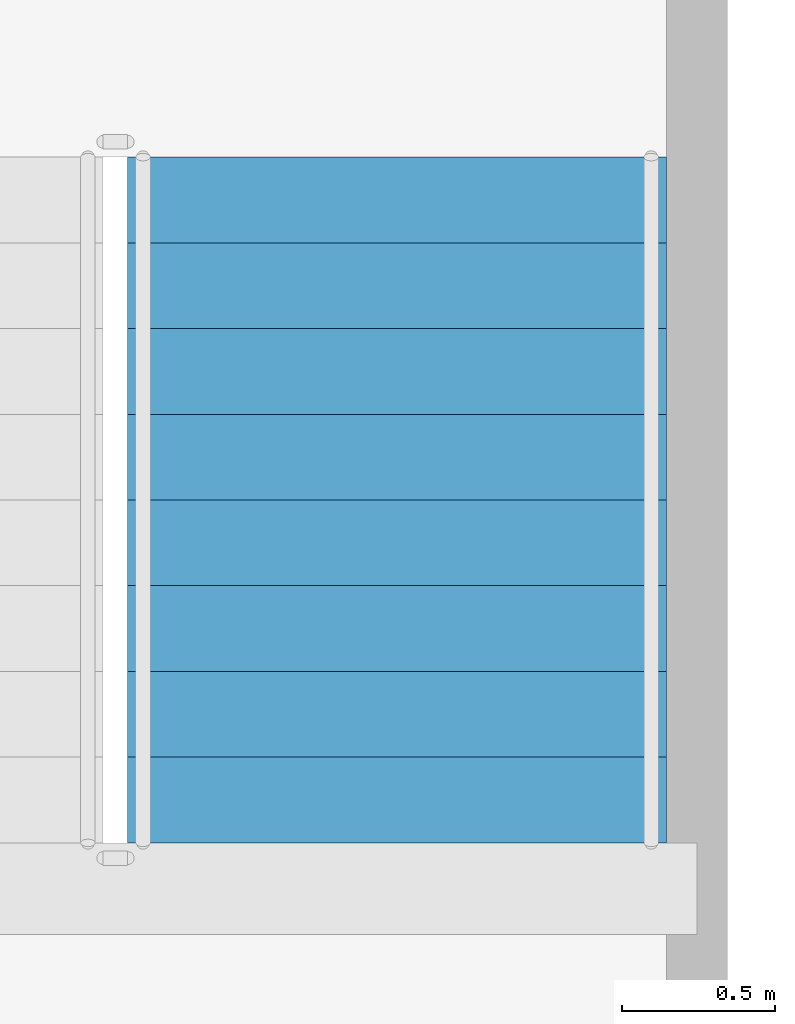
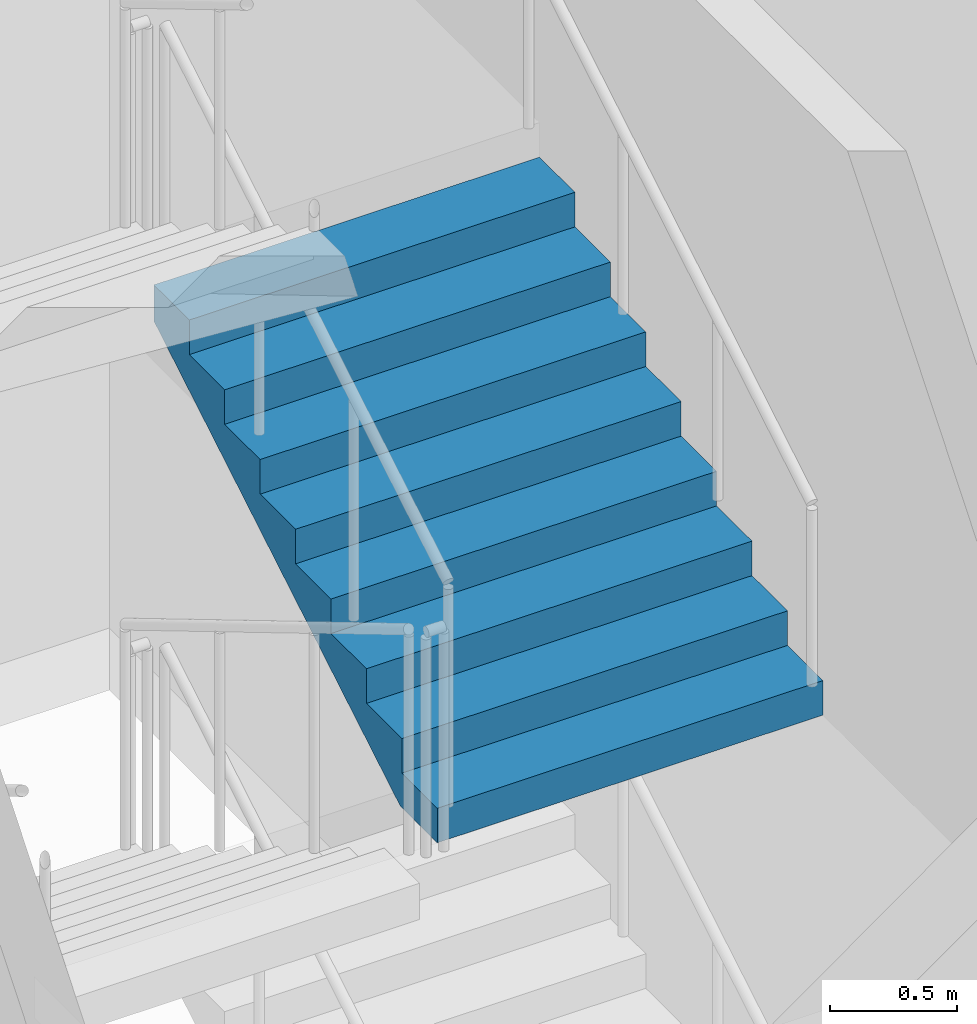
# One storey, part 28 of 40: 1 stair flight, 1 element without a shape of its own.
"""IFC4 building model written with IfcOpenShell, lengths in metres."""

from ifc_helpers import new_model, si_unit, direction, frame, origin, place, context, subcontext, project, spatial, faceted_brep, material, type_object, element, aggregate, save


model = new_model("IFC4")

# Units and contexts
model_context = context("Model", 3, precision=1e-05, world=origin(), true_north=direction((0.0, 1.0)))
body_context = subcontext(model_context, "Body", "Model", "MODEL_VIEW")
ifc_project = project(units=[si_unit("LENGTHUNIT", "METRE"), si_unit("AREAUNIT", "SQUARE_METRE"), si_unit("VOLUMEUNIT", "CUBIC_METRE"), si_unit("PLANEANGLEUNIT", "RADIAN"), si_unit("MASSUNIT", "GRAM", prefix="KILO")], contexts=[model_context])

# Site, building, storey
site_placement = place(None, origin())
site = spatial("IfcSite", under=ifc_project, at=site_placement, CompositionType="ELEMENT")
building_placement = place(site_placement, origin())
building = spatial("IfcBuilding", under=site, at=building_placement, Name="Tarsis Ring Headquarters", CompositionType="ELEMENT")
storey_placement = place(building_placement, frame((0.0, 0.0, 354.800048828125)))
storey = spatial("IfcBuildingStorey", under=building, at=storey_placement, Name="L84", CompositionType="ELEMENT", Elevation=354.800048828125)

# Stair, stair flight
ifc_material_1 = material(Name="Core stair 1760")
stair_type = type_object("IfcStairType", Name="Core stair 1760", PredefinedType="HALF_TURN_STAIR", material=ifc_material_1)
stair_placement = place(storey_placement, origin())
stair = element("IfcStair", 1, at=stair_placement, inside=storey, type_object=stair_type, Name="L84 Exit stair B", PredefinedType="HALF_TURN_STAIR")
ifc_material_2 = material(Name="Concrete C40/50", Category="concrete")
stair_flight_type = type_object("IfcStairFlightType", Name="Core stair flight 1760", PredefinedType="STRAIGHT", material=ifc_material_2)
stair_flight_placement = place(storey_placement, frame((5.419921875, 3.659912109375, 3.0), z_axis=(0.0, 0.0, 1.0), x_axis=(0.0, 1.0, 0.0)))
stair_flight = element("IfcStairFlight", 2, at=stair_flight_placement, type_object=stair_flight_type, Name="Stair ST2 flight 3", NumberOfRisers=9, NumberOfTreads=8, PredefinedType="STRAIGHT", RiserHeight=0.166666667, TreadLength=0.28, context=body_context, shape_type="Brep", body=[
    faceted_brep([(0.0, 0.8798828125, 0.0), (0.0, 0.8798828125, 0.166748046875), (0.280029296875, 0.8798828125, 0.166748046875), (0.280029296875, 0.8798828125, 0.333251953125), (0.56005859375, 0.8798828125, 0.333251953125), (0.56005859375, 0.8798828125, 0.5), (0.840087890625, 0.8798828125, 0.5), (0.840087890625, 0.8798828125, 0.666748046875), (1.1201171875, 0.8798828125, 0.666748046875), (1.1201171875, 0.8798828125, 0.833251953125), (1.39990234375, 0.8798828125, 0.833251953125), (1.39990234375, 0.8798828125, 1.0), (1.679931640625, 0.8798828125, 1.0), (1.679931640625, 0.8798828125, 1.166748046875), (1.9599609375, 0.8798828125, 1.166748046875), (1.9599609375, 0.8798828125, 1.333251953125), (2.239990234375, 0.8798828125, 1.333251953125), (2.239990234375, 0.8798828125, 1.158935546875), (0.29296875, 0.8798828125, 0.0), (0.29296875, -0.8798828125, 0.0), (2.239990234375, -0.8798828125, 1.158935546875), (2.239990234375, -0.8798828125, 1.333251953125), (1.9599609375, -0.8798828125, 1.333251953125), (1.9599609375, -0.8798828125, 1.166748046875), (1.679931640625, -0.8798828125, 1.166748046875), (1.679931640625, -0.8798828125, 1.0), (1.39990234375, -0.8798828125, 1.0), (1.39990234375, -0.8798828125, 0.833251953125), (1.1201171875, -0.8798828125, 0.833251953125), (1.1201171875, -0.8798828125, 0.666748046875), (0.840087890625, -0.8798828125, 0.666748046875), (0.840087890625, -0.8798828125, 0.5), (0.56005859375, -0.8798828125, 0.5), (0.56005859375, -0.8798828125, 0.333251953125), (0.280029296875, -0.8798828125, 0.333251953125), (0.280029296875, -0.8798828125, 0.166748046875), (0.0, -0.8798828125, 0.166748046875), (0.0, -0.8798828125, 0.0), (0.0, -0.43994140625, 0.166748046875), (0.0, -0.43994140625, 0.0), (0.0, 0.0, 0.166748046875), (0.0, 0.0, 0.0), (0.0, 0.43994140625, 0.166748046875), (0.0, 0.43994140625, 0.0), (0.280029296875, -0.43994140625, 0.166748046875), (0.280029296875, 0.0, 0.166748046875), (0.280029296875, 0.43994140625, 0.166748046875), (0.280029296875, -0.43994140625, 0.333251953125), (0.280029296875, 0.0, 0.333251953125), (0.280029296875, 0.43994140625, 0.333251953125), (0.56005859375, -0.43994140625, 0.333251953125), (0.56005859375, 0.0, 0.333251953125), (0.56005859375, 0.43994140625, 0.333251953125), (0.56005859375, -0.43994140625, 0.5), (0.56005859375, 0.0, 0.5), (0.56005859375, 0.43994140625, 0.5), (0.840087890625, -0.43994140625, 0.5), (0.840087890625, 0.0, 0.5), (0.840087890625, 0.43994140625, 0.5), (0.840087890625, -0.43994140625, 0.666748046875), (0.840087890625, 0.0, 0.666748046875), (0.840087890625, 0.43994140625, 0.666748046875), (1.1201171875, -0.43994140625, 0.666748046875), (1.1201171875, 0.0, 0.666748046875), (1.1201171875, 0.43994140625, 0.666748046875), (1.1201171875, -0.43994140625, 0.833251953125), (1.1201171875, 0.0, 0.833251953125), (1.1201171875, 0.43994140625, 0.833251953125), (1.39990234375, -0.43994140625, 0.833251953125), (1.39990234375, 0.0, 0.833251953125), (1.39990234375, 0.43994140625, 0.833251953125), (1.39990234375, -0.43994140625, 1.0), (1.39990234375, 0.0, 1.0), (1.39990234375, 0.43994140625, 1.0), (1.679931640625, -0.43994140625, 1.0), (1.679931640625, 0.0, 1.0), (1.679931640625, 0.43994140625, 1.0), (1.679931640625, -0.43994140625, 1.166748046875), (1.679931640625, 0.0, 1.166748046875), (1.679931640625, 0.43994140625, 1.166748046875), (1.9599609375, -0.43994140625, 1.166748046875), (1.9599609375, 0.0, 1.166748046875), (1.9599609375, 0.43994140625, 1.166748046875), (1.9599609375, -0.43994140625, 1.333251953125), (1.9599609375, 0.0, 1.333251953125), (1.9599609375, 0.43994140625, 1.333251953125), (2.239990234375, -0.43994140625, 1.333251953125), (2.239990234375, 0.0, 1.333251953125), (2.239990234375, 0.43994140625, 1.333251953125), (2.239990234375, -0.43994140625, 1.158935546875), (2.239990234375, 0.0, 1.158935546875), (2.239990234375, 0.43994140625, 1.158935546875), (0.29296875, -0.43994140625, 0.0), (0.29296875, 0.0, 0.0), (0.29296875, 0.43994140625, 0.0)], [[[0, 1, 2, 3, 4, 5, 6, 7, 8, 9, 10, 11, 12, 13, 14, 15, 16, 17, 18]], [[19, 20, 21, 22, 23, 24, 25, 26, 27, 28, 29, 30, 31, 32, 33, 34, 35, 36, 37]], [[37, 36, 38, 39]], [[39, 38, 40, 41]], [[41, 40, 42, 43]], [[43, 42, 1, 0]], [[36, 35, 44, 38]], [[38, 44, 45, 40]], [[40, 45, 46, 42]], [[42, 46, 2, 1]], [[35, 34, 47, 44]], [[44, 47, 48, 45]], [[45, 48, 49, 46]], [[46, 49, 3, 2]], [[34, 33, 50, 47]], [[47, 50, 51, 48]], [[48, 51, 52, 49]], [[49, 52, 4, 3]], [[33, 32, 53, 50]], [[50, 53, 54, 51]], [[51, 54, 55, 52]], [[52, 55, 5, 4]], [[32, 31, 56, 53]], [[53, 56, 57, 54]], [[54, 57, 58, 55]], [[55, 58, 6, 5]], [[31, 30, 59, 56]], [[56, 59, 60, 57]], [[57, 60, 61, 58]], [[58, 61, 7, 6]], [[30, 29, 62, 59]], [[59, 62, 63, 60]], [[60, 63, 64, 61]], [[61, 64, 8, 7]], [[29, 28, 65, 62]], [[62, 65, 66, 63]], [[63, 66, 67, 64]], [[64, 67, 9, 8]], [[28, 27, 68, 65]], [[65, 68, 69, 66]], [[66, 69, 70, 67]], [[67, 70, 10, 9]], [[27, 26, 71, 68]], [[68, 71, 72, 69]], [[69, 72, 73, 70]], [[70, 73, 11, 10]], [[26, 25, 74, 71]], [[71, 74, 75, 72]], [[72, 75, 76, 73]], [[73, 76, 12, 11]], [[25, 24, 77, 74]], [[74, 77, 78, 75]], [[75, 78, 79, 76]], [[76, 79, 13, 12]], [[24, 23, 80, 77]], [[77, 80, 81, 78]], [[78, 81, 82, 79]], [[79, 82, 14, 13]], [[23, 22, 83, 80]], [[80, 83, 84, 81]], [[81, 84, 85, 82]], [[82, 85, 15, 14]], [[22, 21, 86, 83]], [[83, 86, 87, 84]], [[84, 87, 88, 85]], [[85, 88, 16, 15]], [[21, 20, 89, 86]], [[86, 89, 90, 87]], [[87, 90, 91, 88]], [[88, 91, 17, 16]], [[20, 19, 92, 89]], [[89, 92, 93, 90]], [[90, 93, 94, 91]], [[91, 94, 18, 17]], [[19, 37, 39, 92]], [[92, 39, 41, 93]], [[93, 41, 43, 94]], [[94, 43, 0, 18]]]),
])
aggregate(stair, [stair_flight])

save(model, "model.ifc")
